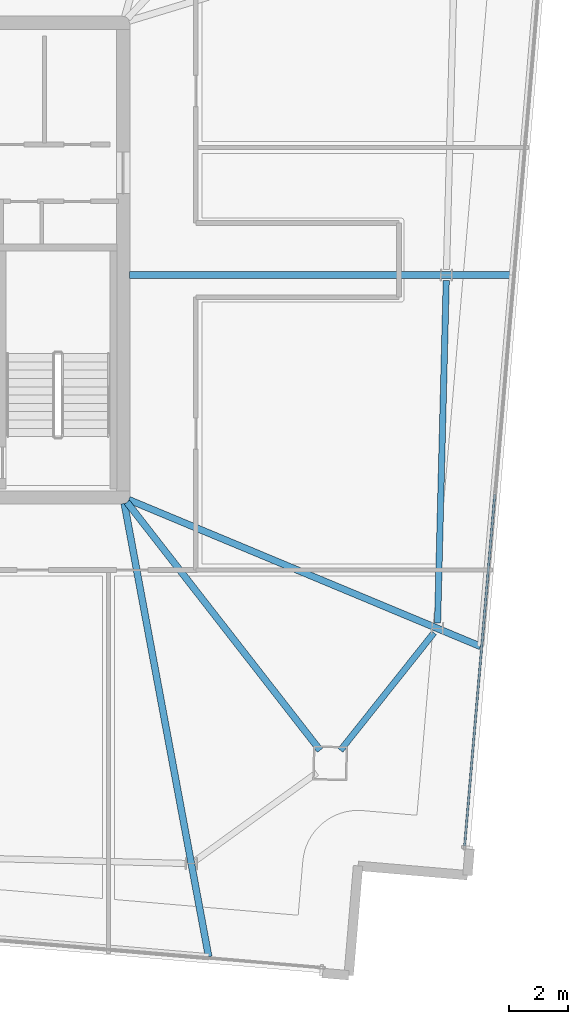
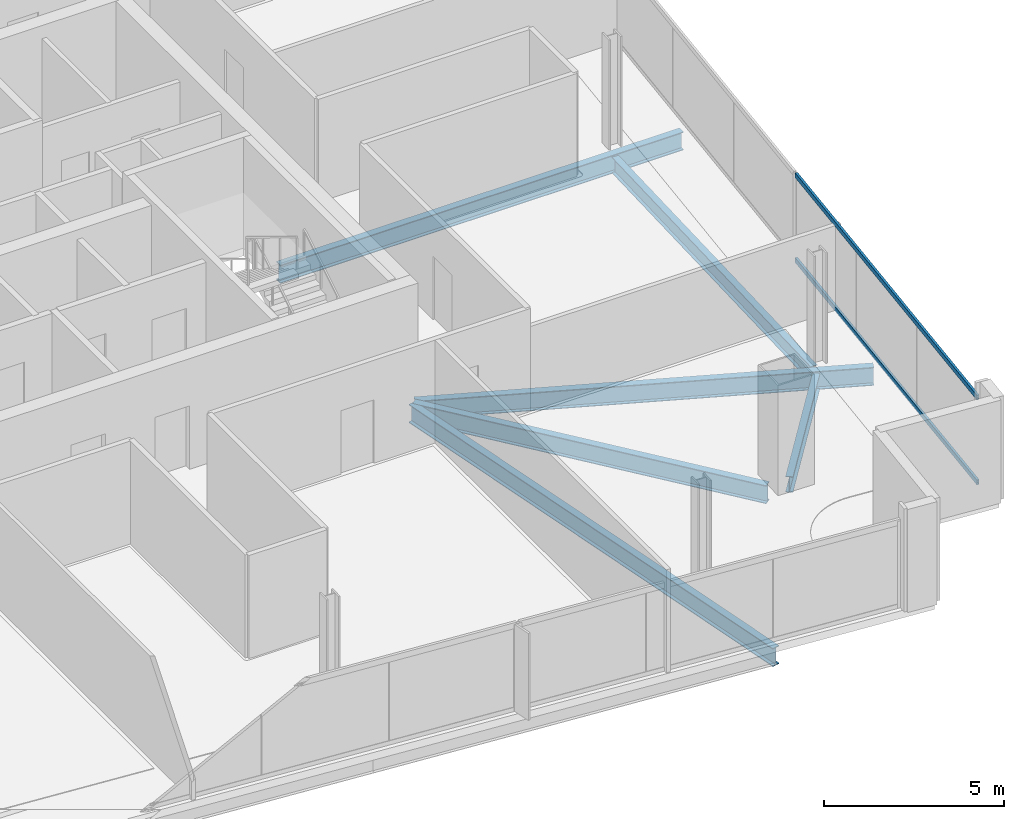
# One storey, part 10 of 24: 6 beams, 2 members, 1 element without a shape of its own.
"""IFC4 building model written with IfcOpenShell, lengths in metres."""

from ifc_helpers import new_model, si_unit, direction, frame, origin, origin_2d, place, context, subcontext, project, spatial, hollow_rectangle, i_section, extrude, material, material_profile, profile_set, type_object, element, aggregate, save


model = new_model("IFC4")

# Units and contexts
model_context = context("Model", 3, precision=1e-05, world=origin(), true_north=direction((0.0, 1.0)))
body_context = subcontext(model_context, "Body", "Model", "MODEL_VIEW")
ifc_project = project(units=[si_unit("LENGTHUNIT", "METRE"), si_unit("AREAUNIT", "SQUARE_METRE"), si_unit("VOLUMEUNIT", "CUBIC_METRE"), si_unit("PLANEANGLEUNIT", "RADIAN"), si_unit("MASSUNIT", "GRAM", prefix="KILO")], contexts=[model_context])

# Site, building, storey
site_placement = place(None, origin())
site = spatial("IfcSite", under=ifc_project, at=site_placement, CompositionType="ELEMENT")
building_placement = place(site_placement, origin())
building = spatial("IfcBuilding", under=site, at=building_placement, Name="Haldenkirk Collegiate Tower", CompositionType="ELEMENT")
storey_placement = place(building_placement, frame((0.0, 0.0, 313.949951171875)))
storey = spatial("IfcBuildingStorey", under=building, at=storey_placement, Name="L79", CompositionType="ELEMENT", Elevation=313.949951171875)

# Beams
ifc_material_1 = material(Name="Steel ASTM A992 Grade 50", Category="steel")
ifc_material_profile_1 = material_profile(ifc_material_1, i_section(OverallWidth=0.22998046875, OverallDepth=0.616943359375, WebThickness=0.01318359375, FlangeThickness=0.022216796875, at=origin_2d()), Name="W24X94")
ifc_profile_set_1 = profile_set([ifc_material_profile_1], Name="Steel ASTM A992 Grade 50")
beam_type_1 = type_object("IfcBeamType", Name="BM-GIRDER-W24X94", PredefinedType="BEAM", material=ifc_profile_set_1)
beam_1_placement = place(storey_placement, frame((51.635009765625, 9.478271484375, -0.568359375), z_axis=(-0.614347328176, 0.789035715518, 0.0), x_axis=(-0.789035715518, -0.614347328176, 0.0)))
element("IfcBeam", 1, at=beam_1_placement, inside=storey, type_object=beam_type_1, Name="L79 primary floor girder 01", PredefinedType="BEAM", context=body_context, shape_type="SweptSolid", body=[
    extrude(i_section(OverallWidth=0.22998046875, OverallDepth=0.616943359375, WebThickness=0.01318359375, FlangeThickness=0.022216796875, at=origin_2d()), origin(), (0.0, 0.0, 1.0), 10.594970703125),
])
beam_2_placement = place(storey_placement, frame((57.044677734375, 12.978759765625, -0.568359375), z_axis=(-0.92300492579, 0.384788132572, 0.0), x_axis=(-0.384788132572, -0.92300492579, 0.0)))
element("IfcBeam", 2, at=beam_2_placement, inside=storey, type_object=beam_type_1, Name="L79 primary floor girder 05", PredefinedType="BEAM", context=body_context, shape_type="SweptSolid", body=[
    extrude(i_section(OverallWidth=0.22998046875, OverallDepth=0.616943359375, WebThickness=0.01318359375, FlangeThickness=0.022216796875, at=origin_2d()), origin(), (0.0, 0.0, 1.0), 12.844482421875),
])
beam_3_placement = place(storey_placement, frame((58.117919921875, 25.496337890625, -0.568359375), z_axis=(-1.0, 0.0, 0.0), x_axis=(0.0, -1.0, 0.0)))
element("IfcBeam", 3, at=beam_3_placement, inside=storey, type_object=beam_type_1, Name="L79 primary floor girder 06", PredefinedType="BEAM", context=body_context, shape_type="SweptSolid", body=[
    extrude(i_section(OverallWidth=0.22998046875, OverallDepth=0.616943359375, WebThickness=0.01318359375, FlangeThickness=0.022216796875, at=origin_2d()), origin(), (0.0, 0.0, 1.0), 12.912841796875),
])
beam_4_placement = place(storey_placement, frame((47.880859375, 2.519287109375, -0.568359375), z_axis=(-0.18294534468, 0.983123085305, 0.0), x_axis=(-0.983123085305, -0.18294534468, 0.0)))
element("IfcBeam", 4, at=beam_4_placement, inside=storey, type_object=beam_type_1, Name="L79 primary floor girder 16", PredefinedType="BEAM", context=body_context, shape_type="SweptSolid", body=[
    extrude(i_section(OverallWidth=0.22998046875, OverallDepth=0.616943359375, WebThickness=0.01318359375, FlangeThickness=0.022216796875, at=origin_2d()), origin(), (0.0, 0.0, 1.0), 15.54150390625),
])
ifc_material_profile_2 = material_profile(ifc_material_1, i_section(OverallWidth=0.2099609375, OverallDepth=0.537109375, WebThickness=0.010986328125, FlangeThickness=0.017333984375, at=origin_2d()), Name="W21X68")
ifc_profile_set_2 = profile_set([ifc_material_profile_2], Name="Steel ASTM A992 Grade 50")
beam_type_2 = type_object("IfcBeamType", Name="BM-SPANDREL-W21X68", PredefinedType="SPANDREL", material=ifc_profile_set_2)
beam_5_placement = place(storey_placement, frame((52.321533203125, 9.474609375, -0.528564453125), z_axis=(0.622700032294, 0.782460650628, 0.0), x_axis=(-0.782460650628, 0.622700032294, 0.0)))
element("IfcBeam", 5, at=beam_5_placement, inside=storey, type_object=beam_type_2, Name="L79 perimeter spandrel beam 01", PredefinedType="SPANDREL", context=body_context, shape_type="SweptSolid", body=[
    extrude(i_section(OverallWidth=0.2099609375, OverallDepth=0.537109375, WebThickness=0.010986328125, FlangeThickness=0.017333984375, at=origin_2d()), origin(), (0.0, 0.0, 1.0), 5.064453125),
])
beam_6_placement = place(storey_placement, frame((55.596923828125, 13.772216796875, -0.528564453125), z_axis=(0.025302458902, 0.999679841536, 0.0), x_axis=(-0.999679841536, 0.025302458902, 0.0)))
element("IfcBeam", 6, at=beam_6_placement, inside=storey, type_object=beam_type_2, Name="L79 perimeter spandrel beam 02", PredefinedType="SPANDREL", context=body_context, shape_type="SweptSolid", body=[
    extrude(i_section(OverallWidth=0.2099609375, OverallDepth=0.537109375, WebThickness=0.010986328125, FlangeThickness=0.017333984375, at=origin_2d()), origin(), (0.0, 0.0, 1.0), 11.5400390625),
])

# Curtain wall, members
ifc_material_2 = material(Name="Anodised architectural bronze aluminium", Category="aluminium")
curtain_wall_type = type_object("IfcCurtainWallType", Name="CW-SYS2-CONCAVE", PredefinedType="USERDEFINED", material=ifc_material_2)
curtain_wall_placement = place(storey_placement, origin())
curtain_wall = element("IfcCurtainWall", 7, at=curtain_wall_placement, inside=storey, type_object=curtain_wall_type, Name="L79 South concave recessed bronze-anodised curtain wall", ObjectType="UNITISED CURTAIN WALL", PredefinedType="USERDEFINED")
ifc_material_profile_3 = material_profile(ifc_material_2, hollow_rectangle(XDim=0.074951171875, YDim=0.159912109375, WallThickness=0.0048828125, at=origin_2d()), Name="CW-TRN-02")
ifc_profile_set_3 = profile_set([ifc_material_profile_3], Name="Anodised architectural bronze aluminium")
member_type = type_object("IfcMemberType", Name="CW-TRN-02", PredefinedType="USERDEFINED", material=ifc_profile_set_3)
member_1_placement = place(storey_placement, frame((57.5234375, 18.09521484375, 0.03759765625), z_axis=(-0.085416286641, -0.996345350758, 0.0), x_axis=(0.996345350758, -0.085416286641, 0.0)))
member_1 = element("IfcMember", 8, at=member_1_placement, type_object=member_type, Name="CW-02 transom 3.1", ObjectType="TRANSOM", PredefinedType="USERDEFINED", context=body_context, shape_type="SweptSolid", body=[
    extrude(hollow_rectangle(XDim=0.074951171875, YDim=0.159912109375, WallThickness=0.0048828125, at=origin_2d()), origin(), (0.0, 0.0, 1.0), 11.887451171875),
])
member_2_placement = place(storey_placement, frame((57.5234375, 18.09521484375, 2.91064453125), z_axis=(-0.085416286641, -0.996345350758, 0.0), x_axis=(0.996345350758, -0.085416286641, 0.0)))
member_2 = element("IfcMember", 9, at=member_2_placement, type_object=member_type, Name="CW-02 transom 3.2", ObjectType="TRANSOM", PredefinedType="USERDEFINED", context=body_context, shape_type="SweptSolid", body=[
    extrude(hollow_rectangle(XDim=0.074951171875, YDim=0.159912109375, WallThickness=0.0048828125, at=origin_2d()), origin(), (0.0, 0.0, 1.0), 11.887451171875),
])
aggregate(curtain_wall, [member_1, member_2])

save(model, "model.ifc")
